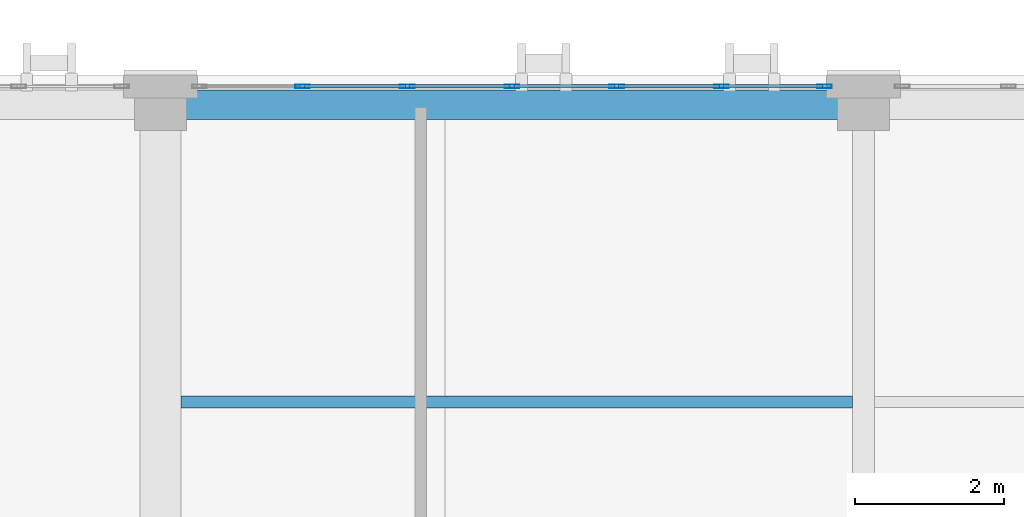
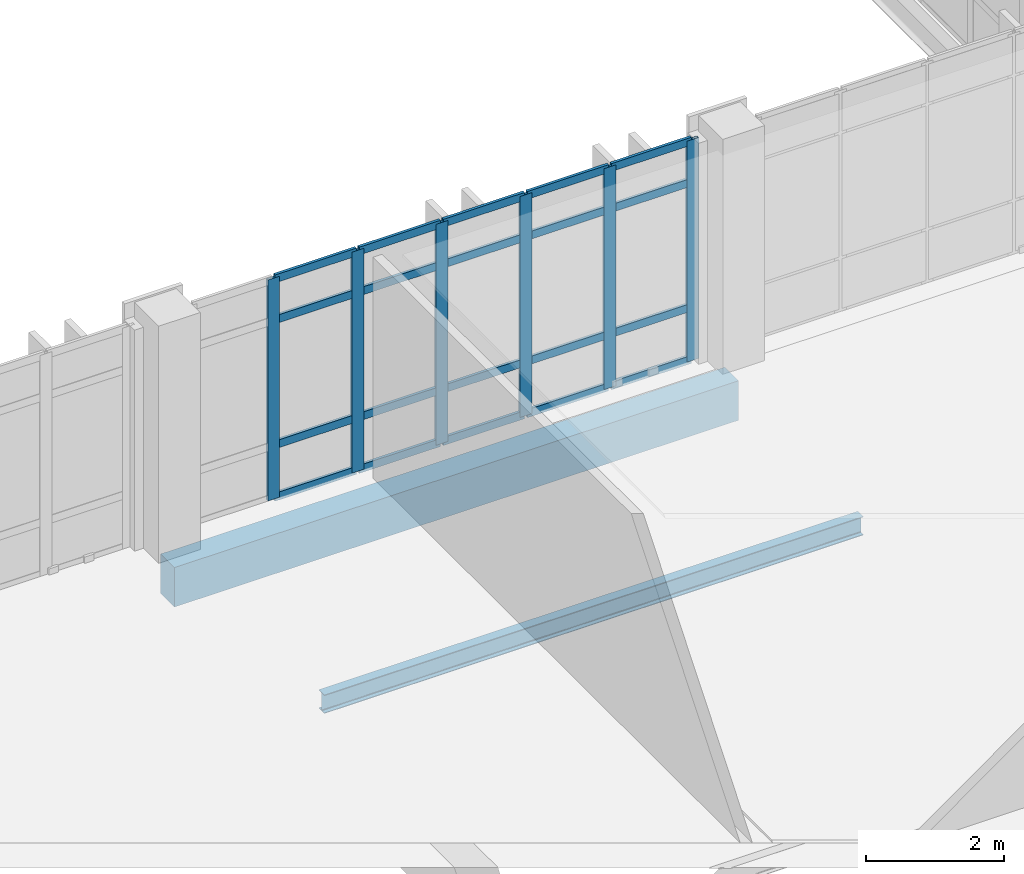
# One storey, part 40 of 193: 26 members, 2 beams, 1 element without a shape of its own.
"""IFC4 building model written with IfcOpenShell, lengths in metres."""

import ifcopenshell
import ifcopenshell.guid

model = None  # the IFC model being written
_history = None  # IfcOwnerHistory: only IFC2X3 demands one
_inside = {}  # id of a spatial element -> (the spatial element, [elements in it])
_under = {}  # id of a project, library or spatial element -> (it, [spatial elements below it])
_declared = {}  # id of a project -> (the project, [libraries it declares])
_typed = {}  # id of a type object -> (the type object, [elements of that type])
_made_of = {}  # id of a material, layer set ... -> (it, [elements and type objects made of it])


def new_model(schema):
    """Start an empty IFC model of exactly this schema.

    Asked for "IFC4X3", IfcOpenShell would pick the latest addendum, in which some entities
    have other attributes; the version numbers below select the first issue.
    IFC2X3 requires an IfcOwnerHistory on every rooted entity: one is made here for all.
    """
    global model, _history
    if schema == "IFC4X3":
        model = ifcopenshell.file(schema_version=(4, 3, 0, 0))
    else:
        model = ifcopenshell.file(schema=schema)
    _inside.clear()
    _under.clear()
    _declared.clear()
    _typed.clear()
    _made_of.clear()
    _history = None
    if model.schema == "IFC2X3":
        org = make("IfcOrganization", Name="unknown")
        user = make(
            "IfcPersonAndOrganization",
            ThePerson=make("IfcPerson", FamilyName="unknown"),
            TheOrganization=org,
        )
        app = make(
            "IfcApplication",
            ApplicationDeveloper=org,
            Version="unknown",
            ApplicationFullName="unknown",
            ApplicationIdentifier="unknown",
        )
        _history = make(
            "IfcOwnerHistory",
            OwningUser=user,
            OwningApplication=app,
            ChangeAction="ADDED",
            CreationDate=0,
        )
    return model


def make(cls, **values):
    """One entity of the class cls with the attributes given. An attribute that is None is left unset."""
    return model.create_entity(
        cls, **{name: value for name, value in values.items() if value is not None}
    )


def rooted(cls, **values):
    """An entity with a GlobalId (a new one), such as an element, a storey or a relation."""
    return make(cls, GlobalId=ifcopenshell.guid.new(), OwnerHistory=_history, **values)


def si_unit(unit_type, name, prefix=None):
    """IfcSIUnit, for example si_unit("LENGTHUNIT", "METRE", prefix="MILLI")."""
    return make("IfcSIUnit", UnitType=unit_type, Prefix=prefix, Name=name)


def assignment(units):
    """IfcUnitAssignment: the units of a project."""
    return None if units is None else make("IfcUnitAssignment", Units=units)


def point(xyz):
    """IfcCartesianPoint."""
    return None if xyz is None else make("IfcCartesianPoint", Coordinates=xyz)


def direction(xyz):
    """IfcDirection."""
    return None if xyz is None else make("IfcDirection", DirectionRatios=xyz)


def frame(location, z_axis=None, x_axis=None):
    """IfcAxis2Placement3D, a coordinate frame: its origin and axes. An axis left out is left unset."""
    return make(
        "IfcAxis2Placement3D",
        Location=point(location),
        Axis=direction(z_axis),
        RefDirection=direction(x_axis),
    )


def frame_2d(location, x_axis=None):
    """IfcAxis2Placement2D, a coordinate frame in the plane: its origin and x axis."""
    return make(
        "IfcAxis2Placement2D", Location=point(location), RefDirection=direction(x_axis)
    )


def origin():
    """The frame at (0, 0, 0) with its axes left unset."""
    return frame((0.0, 0.0, 0.0))


def origin_2d():
    """The frame at (0, 0) in the plane with its x axis left unset."""
    return frame_2d((0.0, 0.0))


def place(relative_to, where):
    """IfcLocalPlacement: puts the frame where relative to a parent placement (None: the world)."""
    return make(
        "IfcLocalPlacement", PlacementRelTo=relative_to, RelativePlacement=where
    )


def context(
    kind, dimensions, precision=None, world=None, true_north=None, identifier=None
):
    """IfcGeometricRepresentationContext, for example the 3D "Model" context."""
    return make(
        "IfcGeometricRepresentationContext",
        ContextIdentifier=identifier,
        ContextType=kind,
        CoordinateSpaceDimension=dimensions,
        Precision=precision,
        WorldCoordinateSystem=world,
        TrueNorth=true_north,
    )


def subcontext(parent, identifier, kind, view, scale=None):
    """IfcGeometricRepresentationSubContext, for example "Body" below "Model"."""
    return make(
        "IfcGeometricRepresentationSubContext",
        ContextIdentifier=identifier,
        ContextType=kind,
        ParentContext=parent,
        TargetScale=scale,
        TargetView=view,
    )


def project(units=None, contexts=None):
    """IfcProject with its units and contexts."""
    return rooted(
        "IfcProject",
        Name="project",
        RepresentationContexts=contexts,
        UnitsInContext=assignment(units),
    )


def spatial(cls, under=None, at=None, **own):
    """A site, building, storey or space (cls), placed at a placement, below another one or the project."""
    s = rooted(cls, ObjectPlacement=at, **own)
    if under is not None:
        _under.setdefault(under.id(), (under, []))[1].append(s)
    return s


def profile(cls, at=None, kind="AREA", **sizes):
    """A parametric profile (cls). Its sizes go by their IFC names, for example OverallWidth=200.0."""
    return make(cls, ProfileType=kind, Position=at, **sizes)


def rectangle(**sizes):
    """IfcRectangleProfileDef."""
    return profile("IfcRectangleProfileDef", **sizes)


def hollow_rectangle(**sizes):
    """IfcRectangleHollowProfileDef."""
    return profile("IfcRectangleHollowProfileDef", **sizes)


def i_section(**sizes):
    """IfcIShapeProfileDef."""
    return profile("IfcIShapeProfileDef", **sizes)


def extrude(swept, where, along, depth):
    """IfcExtrudedAreaSolid: the profile swept, set in the frame where, extruded along a direction by depth."""
    return make(
        "IfcExtrudedAreaSolid",
        SweptArea=swept,
        Position=where,
        ExtrudedDirection=direction(along),
        Depth=depth,
    )


def shape(context_of_items, identifier, shape_type, items):
    """IfcShapeRepresentation: the items that make up one representation, for example the "Body"."""
    return make(
        "IfcShapeRepresentation",
        ContextOfItems=context_of_items,
        RepresentationIdentifier=identifier,
        RepresentationType=shape_type,
        Items=items,
    )


def material(Name=None, Category=None):
    """IfcMaterial."""
    return make("IfcMaterial", Name=Name, Category=Category)


def layer(
    of_material, thickness, ventilated=None, Name=None, Category=None, Priority=None
):
    """IfcMaterialLayer: one layer of a wall or slab, of a material (None: an air gap)."""
    return make(
        "IfcMaterialLayer",
        Material=of_material,
        LayerThickness=thickness,
        IsVentilated=ventilated,
        Name=Name,
        Category=Category,
        Priority=Priority,
    )


def layer_set(layers, Name=None):
    """IfcMaterialLayerSet."""
    return make("IfcMaterialLayerSet", MaterialLayers=layers, LayerSetName=Name)


def material_profile(
    of_material, cross_section, Name=None, Category=None, Priority=None
):
    """IfcMaterialProfile: a cross section and its material."""
    return make(
        "IfcMaterialProfile",
        Name=Name,
        Material=of_material,
        Profile=cross_section,
        Priority=Priority,
        Category=Category,
    )


def profile_set(profiles, Name=None, composite=None):
    """IfcMaterialProfileSet."""
    return make(
        "IfcMaterialProfileSet",
        Name=Name,
        MaterialProfiles=profiles,
        CompositeProfile=composite,
    )


def made_of(thing, what):
    """Note that an element or type object is made of a material, layer set ...; save() writes the relation."""
    if what is not None:
        _made_of.setdefault(what.id(), (what, []))[1].append(thing)
    return thing


def type_object(cls, material=None, **own):
    """A type object (cls), such as IfcWallType, which elements share."""
    return made_of(rooted(cls, **own), material)


def element(
    cls,
    number,
    at=None,
    inside=None,
    cuts=None,
    type_object=None,
    material=None,
    context=None,
    identifier="Body",
    shape_type=None,
    held_by="IfcProductDefinitionShape",
    body=None,
    shapes=None,
    **own,
):
    """One element of the class cls, such as IfcWall. Its Tag is "e" and its number.

    at: its placement. inside: the storey or other place that contains it. cuts: it is an
    opening in that element (IfcRelVoidsElement). A single representation is given by context,
    identifier, shape_type and body (its items); several are given by shapes. held_by: the class
    of the entity that holds the representations. save() writes the other relations.
    """
    e = rooted(cls, Tag="e%d" % number, ObjectPlacement=at, **own)
    if body is not None:
        shapes = [shape(context, identifier, shape_type, body)]
    if shapes is not None:
        e.Representation = make(held_by, Representations=shapes)
    if inside is not None:
        _inside.setdefault(inside.id(), (inside, []))[1].append(e)
    if cuts is not None:
        rooted(
            "IfcRelVoidsElement", RelatingBuildingElement=cuts, RelatedOpeningElement=e
        )
    if type_object is not None:
        _typed.setdefault(type_object.id(), (type_object, []))[1].append(e)
    return made_of(e, material)


def aggregate(whole, parts):
    """IfcRelAggregates: a whole, such as a stair, and the parts it consists of."""
    return rooted("IfcRelAggregates", RelatingObject=whole, RelatedObjects=parts)


def save(model, path):
    """Write the relations noted so far, then the file.

    IfcRelAggregates (storeys below a building ...), IfcRelContainedInSpatialStructure (elements
    in a storey), IfcRelDefinesByType, IfcRelAssociatesMaterial and IfcRelDeclares: one each for
    every whole, place, type object, material and project.
    """
    for whole, parts in _under.values():
        aggregate(whole, parts)
    for where, things in _inside.values():
        rooted(
            "IfcRelContainedInSpatialStructure",
            RelatedElements=things,
            RelatingStructure=where,
        )
    for kind, things in _typed.values():
        rooted("IfcRelDefinesByType", RelatedObjects=things, RelatingType=kind)
    for what, things in _made_of.values():
        rooted("IfcRelAssociatesMaterial", RelatedObjects=things, RelatingMaterial=what)
    for by, libraries in _declared.values():
        rooted("IfcRelDeclares", RelatingContext=by, RelatedDefinitions=libraries)
    model.write(path)


model = new_model("IFC4")

# Units and contexts
model_context = context("Model", 3, precision=1e-05, world=origin(), true_north=direction((0.0, 1.0)))
body_context = subcontext(model_context, "Body", "Model", "MODEL_VIEW")
ifc_project = project(units=[si_unit("LENGTHUNIT", "METRE"), si_unit("AREAUNIT", "SQUARE_METRE"), si_unit("VOLUMEUNIT", "CUBIC_METRE"), si_unit("PLANEANGLEUNIT", "RADIAN"), si_unit("MASSUNIT", "GRAM", prefix="KILO")], contexts=[model_context])

# Site, building, storey
site_placement = place(None, origin())
site = spatial("IfcSite", under=ifc_project, at=site_placement, CompositionType="ELEMENT")
building_placement = place(site_placement, origin())
building = spatial("IfcBuilding", under=site, at=building_placement, Name="Qalavern Law Courts", CompositionType="ELEMENT")
storey_placement = place(building_placement, frame((0.0, 0.0, 10.199951171875)))
storey = spatial("IfcBuildingStorey", under=building, at=storey_placement, Name="L02", CompositionType="ELEMENT", Elevation=10.199951171875)

# Curtain wall, members
ifc_material_1 = material(Name="Anodised aluminium and insulated glazing", Category="aluminium")
ifc_layer = layer(ifc_material_1, 0.18505859375)
ifc_layer_set = layer_set([ifc_layer], Name="Anodised aluminium and insulated glazing")
curtain_wall_type = type_object("IfcCurtainWallType", Name="ENV-CW-HALL", PredefinedType="USERDEFINED", material=ifc_layer_set)
curtain_wall_placement = place(storey_placement, origin())
curtain_wall = element("IfcCurtainWall", 1, at=curtain_wall_placement, inside=storey, type_object=curtain_wall_type, Name="V2 unitised curtain wall L02 north 2", ObjectType="UNITISED CURTAIN WALL", PredefinedType="USERDEFINED")
ifc_material_2 = material(Name="Anodised aluminium", Category="aluminium")
ifc_material_profile_1 = material_profile(ifc_material_2, hollow_rectangle(XDim=0.048095703125, YDim=0.199951171875, WallThickness=0.00439453125, at=origin_2d()), Name="ALU MULLION 48x200")
ifc_profile_set_1 = profile_set([ifc_material_profile_1], Name="Anodised aluminium")
member_type_1 = type_object("IfcMemberType", Name="ENV-CWM-48x200", PredefinedType="MULLION", material=ifc_profile_set_1)
member_1_placement = place(storey_placement, frame((81.367431640625, 30.2451171875, 0.0), z_axis=(0.0, 0.0, 1.0), x_axis=(0.0, -1.0, 0.0)))
member_1 = element("IfcMember", 2, at=member_1_placement, type_object=member_type_1, Name="CW-02 mullion 1", PredefinedType="MULLION", context=body_context, shape_type="SweptSolid", body=[
    extrude(hollow_rectangle(XDim=0.048095703125, YDim=0.199951171875, WallThickness=0.00439453125, at=origin_2d()), origin(), (0.0, 0.0, 1.0), 3.9150390625),
])
member_2_placement = place(storey_placement, frame((79.982421875, 30.2451171875, 0.0), z_axis=(0.0, 0.0, 1.0), x_axis=(0.0, -1.0, 0.0)))
member_2 = element("IfcMember", 3, at=member_2_placement, type_object=member_type_1, Name="CW-02 mullion 2", PredefinedType="MULLION", context=body_context, shape_type="SweptSolid", body=[
    extrude(hollow_rectangle(XDim=0.048095703125, YDim=0.199951171875, WallThickness=0.00439453125, at=origin_2d()), origin(), (0.0, 0.0, 1.0), 3.9150390625),
])
member_3_placement = place(storey_placement, frame((78.5732421875, 30.2451171875, 0.0), z_axis=(0.0, 0.0, 1.0), x_axis=(0.0, -1.0, 0.0)))
member_3 = element("IfcMember", 4, at=member_3_placement, type_object=member_type_1, Name="CW-02 mullion 3", PredefinedType="MULLION", context=body_context, shape_type="SweptSolid", body=[
    extrude(hollow_rectangle(XDim=0.048095703125, YDim=0.199951171875, WallThickness=0.00439453125, at=origin_2d()), origin(), (0.0, 0.0, 1.0), 3.9150390625),
])
member_4_placement = place(storey_placement, frame((77.164306640625, 30.2451171875, 0.0), z_axis=(0.0, 0.0, 1.0), x_axis=(0.0, -1.0, 0.0)))
member_4 = element("IfcMember", 5, at=member_4_placement, type_object=member_type_1, Name="CW-02 mullion 4", PredefinedType="MULLION", context=body_context, shape_type="SweptSolid", body=[
    extrude(hollow_rectangle(XDim=0.048095703125, YDim=0.199951171875, WallThickness=0.00439453125, at=origin_2d()), origin(), (0.0, 0.0, 1.0), 3.9150390625),
])
member_5_placement = place(storey_placement, frame((75.755126953125, 30.2451171875, 0.0), z_axis=(0.0, 0.0, 1.0), x_axis=(0.0, -1.0, 0.0)))
member_5 = element("IfcMember", 6, at=member_5_placement, type_object=member_type_1, Name="CW-02 mullion 5", PredefinedType="MULLION", context=body_context, shape_type="SweptSolid", body=[
    extrude(hollow_rectangle(XDim=0.048095703125, YDim=0.199951171875, WallThickness=0.00439453125, at=origin_2d()), origin(), (0.0, 0.0, 1.0), 3.9150390625),
])
member_6_placement = place(storey_placement, frame((74.34619140625, 30.2451171875, 0.0), z_axis=(0.0, 0.0, 1.0), x_axis=(0.0, -1.0, 0.0)))
member_6 = element("IfcMember", 7, at=member_6_placement, type_object=member_type_1, Name="CW-02 mullion 6", PredefinedType="MULLION", context=body_context, shape_type="SweptSolid", body=[
    extrude(hollow_rectangle(XDim=0.048095703125, YDim=0.199951171875, WallThickness=0.00439453125, at=origin_2d()), origin(), (0.0, 0.0, 1.0), 3.9150390625),
])
ifc_material_profile_2 = material_profile(ifc_material_2, hollow_rectangle(XDim=0.048095703125, YDim=0.139892578125, WallThickness=0.00390625, at=origin_2d()), Name="ALU TRANSOM 48x140")
ifc_profile_set_2 = profile_set([ifc_material_profile_2], Name="Anodised aluminium")
member_type_2 = type_object("IfcMemberType", Name="ENV-CWT-48x140", PredefinedType="USERDEFINED", material=ifc_profile_set_2)
member_7_placement = place(storey_placement, frame((81.343505859375, 30.2451171875, 0.024169921875), z_axis=(-1.0, 0.0, 0.0), x_axis=(0.0, -1.0, 0.0)))
member_7 = element("IfcMember", 8, at=member_7_placement, type_object=member_type_2, Name="CW-02 transom 1.1", ObjectType="TRANSOM", PredefinedType="USERDEFINED", context=body_context, shape_type="SweptSolid", body=[
    extrude(hollow_rectangle(XDim=0.048095703125, YDim=0.139892578125, WallThickness=0.00390625, at=origin_2d()), origin(), (0.0, 0.0, 1.0), 1.337158203125),
])
member_8_placement = place(storey_placement, frame((81.343505859375, 30.2451171875, 0.949951171875), z_axis=(-1.0, 0.0, 0.0), x_axis=(0.0, -1.0, 0.0)))
member_8 = element("IfcMember", 9, at=member_8_placement, type_object=member_type_2, Name="CW-02 transom 1.2", ObjectType="TRANSOM", PredefinedType="USERDEFINED", context=body_context, shape_type="SweptSolid", body=[
    extrude(hollow_rectangle(XDim=0.048095703125, YDim=0.139892578125, WallThickness=0.00390625, at=origin_2d()), origin(), (0.0, 0.0, 1.0), 1.337158203125),
])
member_9_placement = place(storey_placement, frame((81.343505859375, 30.2451171875, 3.1650390625), z_axis=(-1.0, 0.0, 0.0), x_axis=(0.0, -1.0, 0.0)))
member_9 = element("IfcMember", 10, at=member_9_placement, type_object=member_type_2, Name="CW-02 transom 1.3", ObjectType="TRANSOM", PredefinedType="USERDEFINED", context=body_context, shape_type="SweptSolid", body=[
    extrude(hollow_rectangle(XDim=0.048095703125, YDim=0.139892578125, WallThickness=0.00390625, at=origin_2d()), origin(), (0.0, 0.0, 1.0), 1.337158203125),
])
member_10_placement = place(storey_placement, frame((81.343505859375, 30.2451171875, 3.89111328125), z_axis=(-1.0, 0.0, 0.0), x_axis=(0.0, -1.0, 0.0)))
member_10 = element("IfcMember", 11, at=member_10_placement, type_object=member_type_2, Name="CW-02 transom 1.4", ObjectType="TRANSOM", PredefinedType="USERDEFINED", context=body_context, shape_type="SweptSolid", body=[
    extrude(hollow_rectangle(XDim=0.048095703125, YDim=0.139892578125, WallThickness=0.00390625, at=origin_2d()), origin(), (0.0, 0.0, 1.0), 1.337158203125),
])
member_11_placement = place(storey_placement, frame((79.958251953125, 30.2451171875, 0.024169921875), z_axis=(-1.0, 0.0, 0.0), x_axis=(0.0, -1.0, 0.0)))
member_11 = element("IfcMember", 12, at=member_11_placement, type_object=member_type_2, Name="CW-02 transom 2.1", ObjectType="TRANSOM", PredefinedType="USERDEFINED", context=body_context, shape_type="SweptSolid", body=[
    extrude(hollow_rectangle(XDim=0.048095703125, YDim=0.139892578125, WallThickness=0.00390625, at=origin_2d()), origin(), (0.0, 0.0, 1.0), 1.36083984375),
])
member_12_placement = place(storey_placement, frame((79.958251953125, 30.2451171875, 0.949951171875), z_axis=(-1.0, 0.0, 0.0), x_axis=(0.0, -1.0, 0.0)))
member_12 = element("IfcMember", 13, at=member_12_placement, type_object=member_type_2, Name="CW-02 transom 2.2", ObjectType="TRANSOM", PredefinedType="USERDEFINED", context=body_context, shape_type="SweptSolid", body=[
    extrude(hollow_rectangle(XDim=0.048095703125, YDim=0.139892578125, WallThickness=0.00390625, at=origin_2d()), origin(), (0.0, 0.0, 1.0), 1.36083984375),
])
member_13_placement = place(storey_placement, frame((79.958251953125, 30.2451171875, 3.1650390625), z_axis=(-1.0, 0.0, 0.0), x_axis=(0.0, -1.0, 0.0)))
member_13 = element("IfcMember", 14, at=member_13_placement, type_object=member_type_2, Name="CW-02 transom 2.3", ObjectType="TRANSOM", PredefinedType="USERDEFINED", context=body_context, shape_type="SweptSolid", body=[
    extrude(hollow_rectangle(XDim=0.048095703125, YDim=0.139892578125, WallThickness=0.00390625, at=origin_2d()), origin(), (0.0, 0.0, 1.0), 1.36083984375),
])
member_14_placement = place(storey_placement, frame((79.958251953125, 30.2451171875, 3.89111328125), z_axis=(-1.0, 0.0, 0.0), x_axis=(0.0, -1.0, 0.0)))
member_14 = element("IfcMember", 15, at=member_14_placement, type_object=member_type_2, Name="CW-02 transom 2.4", ObjectType="TRANSOM", PredefinedType="USERDEFINED", context=body_context, shape_type="SweptSolid", body=[
    extrude(hollow_rectangle(XDim=0.048095703125, YDim=0.139892578125, WallThickness=0.00390625, at=origin_2d()), origin(), (0.0, 0.0, 1.0), 1.36083984375),
])
member_15_placement = place(storey_placement, frame((78.54931640625, 30.2451171875, 0.024169921875), z_axis=(-1.0, 0.0, 0.0), x_axis=(0.0, -1.0, 0.0)))
member_15 = element("IfcMember", 16, at=member_15_placement, type_object=member_type_2, Name="CW-02 transom 3.1", ObjectType="TRANSOM", PredefinedType="USERDEFINED", context=body_context, shape_type="SweptSolid", body=[
    extrude(hollow_rectangle(XDim=0.048095703125, YDim=0.139892578125, WallThickness=0.00390625, at=origin_2d()), origin(), (0.0, 0.0, 1.0), 1.361083984375),
])
member_16_placement = place(storey_placement, frame((78.54931640625, 30.2451171875, 0.949951171875), z_axis=(-1.0, 0.0, 0.0), x_axis=(0.0, -1.0, 0.0)))
member_16 = element("IfcMember", 17, at=member_16_placement, type_object=member_type_2, Name="CW-02 transom 3.2", ObjectType="TRANSOM", PredefinedType="USERDEFINED", context=body_context, shape_type="SweptSolid", body=[
    extrude(hollow_rectangle(XDim=0.048095703125, YDim=0.139892578125, WallThickness=0.00390625, at=origin_2d()), origin(), (0.0, 0.0, 1.0), 1.361083984375),
])
member_17_placement = place(storey_placement, frame((78.54931640625, 30.2451171875, 3.1650390625), z_axis=(-1.0, 0.0, 0.0), x_axis=(0.0, -1.0, 0.0)))
member_17 = element("IfcMember", 18, at=member_17_placement, type_object=member_type_2, Name="CW-02 transom 3.3", ObjectType="TRANSOM", PredefinedType="USERDEFINED", context=body_context, shape_type="SweptSolid", body=[
    extrude(hollow_rectangle(XDim=0.048095703125, YDim=0.139892578125, WallThickness=0.00390625, at=origin_2d()), origin(), (0.0, 0.0, 1.0), 1.361083984375),
])
member_18_placement = place(storey_placement, frame((78.54931640625, 30.2451171875, 3.89111328125), z_axis=(-1.0, 0.0, 0.0), x_axis=(0.0, -1.0, 0.0)))
member_18 = element("IfcMember", 19, at=member_18_placement, type_object=member_type_2, Name="CW-02 transom 3.4", ObjectType="TRANSOM", PredefinedType="USERDEFINED", context=body_context, shape_type="SweptSolid", body=[
    extrude(hollow_rectangle(XDim=0.048095703125, YDim=0.139892578125, WallThickness=0.00390625, at=origin_2d()), origin(), (0.0, 0.0, 1.0), 1.361083984375),
])
member_19_placement = place(storey_placement, frame((77.14013671875, 30.2451171875, 0.024169921875), z_axis=(-1.0, 0.0, 0.0), x_axis=(0.0, -1.0, 0.0)))
member_19 = element("IfcMember", 20, at=member_19_placement, type_object=member_type_2, Name="CW-02 transom 4.1", ObjectType="TRANSOM", PredefinedType="USERDEFINED", context=body_context, shape_type="SweptSolid", body=[
    extrude(hollow_rectangle(XDim=0.048095703125, YDim=0.139892578125, WallThickness=0.00390625, at=origin_2d()), origin(), (0.0, 0.0, 1.0), 1.36083984375),
])
member_20_placement = place(storey_placement, frame((77.14013671875, 30.2451171875, 0.949951171875), z_axis=(-1.0, 0.0, 0.0), x_axis=(0.0, -1.0, 0.0)))
member_20 = element("IfcMember", 21, at=member_20_placement, type_object=member_type_2, Name="CW-02 transom 4.2", ObjectType="TRANSOM", PredefinedType="USERDEFINED", context=body_context, shape_type="SweptSolid", body=[
    extrude(hollow_rectangle(XDim=0.048095703125, YDim=0.139892578125, WallThickness=0.00390625, at=origin_2d()), origin(), (0.0, 0.0, 1.0), 1.36083984375),
])
member_21_placement = place(storey_placement, frame((77.14013671875, 30.2451171875, 3.1650390625), z_axis=(-1.0, 0.0, 0.0), x_axis=(0.0, -1.0, 0.0)))
member_21 = element("IfcMember", 22, at=member_21_placement, type_object=member_type_2, Name="CW-02 transom 4.3", ObjectType="TRANSOM", PredefinedType="USERDEFINED", context=body_context, shape_type="SweptSolid", body=[
    extrude(hollow_rectangle(XDim=0.048095703125, YDim=0.139892578125, WallThickness=0.00390625, at=origin_2d()), origin(), (0.0, 0.0, 1.0), 1.36083984375),
])
member_22_placement = place(storey_placement, frame((77.14013671875, 30.2451171875, 3.89111328125), z_axis=(-1.0, 0.0, 0.0), x_axis=(0.0, -1.0, 0.0)))
member_22 = element("IfcMember", 23, at=member_22_placement, type_object=member_type_2, Name="CW-02 transom 4.4", ObjectType="TRANSOM", PredefinedType="USERDEFINED", context=body_context, shape_type="SweptSolid", body=[
    extrude(hollow_rectangle(XDim=0.048095703125, YDim=0.139892578125, WallThickness=0.00390625, at=origin_2d()), origin(), (0.0, 0.0, 1.0), 1.36083984375),
])
member_23_placement = place(storey_placement, frame((75.731201171875, 30.2451171875, 0.024169921875), z_axis=(-1.0, 0.0, 0.0), x_axis=(0.0, -1.0, 0.0)))
member_23 = element("IfcMember", 24, at=member_23_placement, type_object=member_type_2, Name="CW-02 transom 5.1", ObjectType="TRANSOM", PredefinedType="USERDEFINED", context=body_context, shape_type="SweptSolid", body=[
    extrude(hollow_rectangle(XDim=0.048095703125, YDim=0.139892578125, WallThickness=0.00390625, at=origin_2d()), origin(), (0.0, 0.0, 1.0), 1.361083984375),
])
member_24_placement = place(storey_placement, frame((75.731201171875, 30.2451171875, 0.949951171875), z_axis=(-1.0, 0.0, 0.0), x_axis=(0.0, -1.0, 0.0)))
member_24 = element("IfcMember", 25, at=member_24_placement, type_object=member_type_2, Name="CW-02 transom 5.2", ObjectType="TRANSOM", PredefinedType="USERDEFINED", context=body_context, shape_type="SweptSolid", body=[
    extrude(hollow_rectangle(XDim=0.048095703125, YDim=0.139892578125, WallThickness=0.00390625, at=origin_2d()), origin(), (0.0, 0.0, 1.0), 1.361083984375),
])
member_25_placement = place(storey_placement, frame((75.731201171875, 30.2451171875, 3.1650390625), z_axis=(-1.0, 0.0, 0.0), x_axis=(0.0, -1.0, 0.0)))
member_25 = element("IfcMember", 26, at=member_25_placement, type_object=member_type_2, Name="CW-02 transom 5.3", ObjectType="TRANSOM", PredefinedType="USERDEFINED", context=body_context, shape_type="SweptSolid", body=[
    extrude(hollow_rectangle(XDim=0.048095703125, YDim=0.139892578125, WallThickness=0.00390625, at=origin_2d()), origin(), (0.0, 0.0, 1.0), 1.361083984375),
])
member_26_placement = place(storey_placement, frame((75.731201171875, 30.2451171875, 3.89111328125), z_axis=(-1.0, 0.0, 0.0), x_axis=(0.0, -1.0, 0.0)))
member_26 = element("IfcMember", 27, at=member_26_placement, type_object=member_type_2, Name="CW-02 transom 5.4", ObjectType="TRANSOM", PredefinedType="USERDEFINED", context=body_context, shape_type="SweptSolid", body=[
    extrude(hollow_rectangle(XDim=0.048095703125, YDim=0.139892578125, WallThickness=0.00390625, at=origin_2d()), origin(), (0.0, 0.0, 1.0), 1.361083984375),
])
aggregate(curtain_wall, [member_1, member_2, member_3, member_4, member_5, member_6, member_7, member_8, member_9, member_10, member_11, member_12, member_13, member_14, member_15, member_16, member_17, member_18, member_19, member_20, member_21, member_22, member_23, member_24, member_25, member_26])

# Beams
ifc_material_3 = material(Name="Steel S355", Category="steel")
ifc_material_profile_3 = material_profile(ifc_material_3, i_section(OverallWidth=0.159912109375, OverallDepth=0.330078125, WebThickness=0.007568359375, FlangeThickness=0.011474609375, FilletRadius=0.01806640625, at=origin_2d()), Name="IPE 330")
ifc_profile_set_3 = profile_set([ifc_material_profile_3], Name="Steel S355")
beam_type_1 = type_object("IfcBeamType", Name="STR-JST-IPE330", PredefinedType="JOIST", material=ifc_profile_set_3)
beam_1_placement = place(storey_placement, frame((72.710205078125, 26.0, -0.454833984375), z_axis=(1.0, 0.0, 0.0), x_axis=(0.0, 1.0, 0.0)))
element("IfcBeam", 28, at=beam_1_placement, inside=storey, type_object=beam_type_1, Name="V2 secondary joist 5.3.1 L02", PredefinedType="JOIST", context=body_context, shape_type="SweptSolid", body=[
    extrude(i_section(OverallWidth=0.159912109375, OverallDepth=0.330078125, WebThickness=0.007568359375, FlangeThickness=0.011474609375, FilletRadius=0.01806640625, at=origin_2d()), origin(), (0.0, 0.0, 1.0), 9.033203125),
])
ifc_material_4 = material(Name="Concrete C40/50", Category="concrete")
ifc_material_profile_4 = material_profile(ifc_material_4, rectangle(XDim=0.39990234375, YDim=0.699951171875, at=origin_2d()), Name="RC 400x700")
ifc_profile_set_4 = profile_set([ifc_material_profile_4], Name="Concrete C40/50")
beam_type_2 = type_object("IfcBeamType", Name="STR-SP-RC400x700", PredefinedType="SPANDREL", material=ifc_profile_set_4)
beam_2_placement = place(storey_placement, frame((72.43701171875, 30.0, -0.639892578125), z_axis=(1.0, 0.0, 0.0), x_axis=(0.0, 1.0, 0.0)))
element("IfcBeam", 29, at=beam_2_placement, inside=storey, type_object=beam_type_2, Name="V2 X-beam 4-5 L02", PredefinedType="SPANDREL", context=body_context, shape_type="SweptSolid", body=[
    extrude(rectangle(XDim=0.39990234375, YDim=0.699951171875, at=origin_2d()), origin(), (0.0, 0.0, 1.0), 9.454345703125),
])

save(model, "model.ifc")
